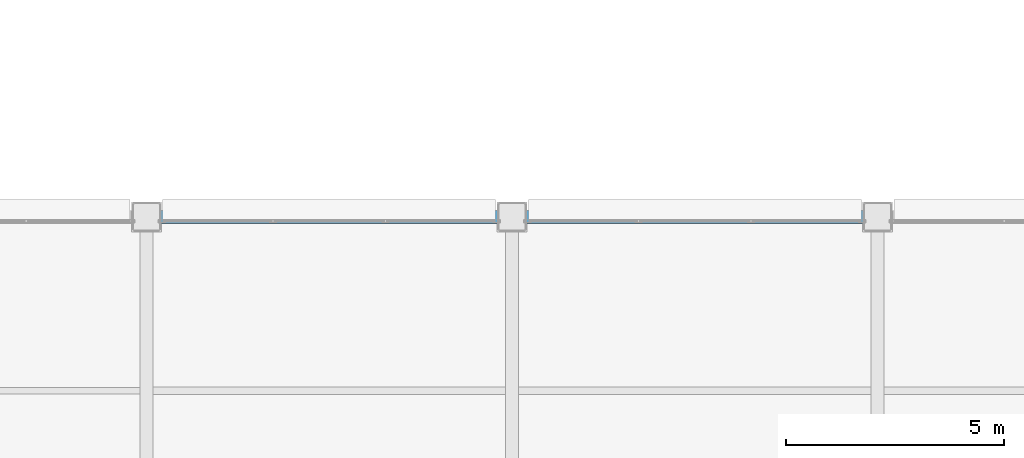
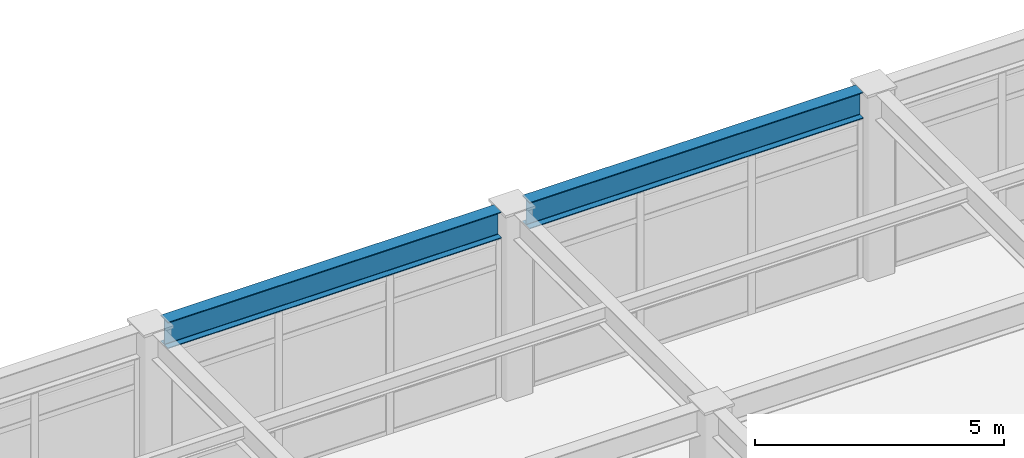
# One storey, part 41 of 93: 2 beams.
"""IFC4 building model written with IfcOpenShell, lengths in metres."""

from ifc_helpers import new_model, si_unit, direction, frame, origin, origin_2d, place, context, subcontext, project, spatial, i_section, extrude, material, material_profile, profile_set, type_object, element, save


model = new_model("IFC4")

# Units and contexts
model_context = context("Model", 3, precision=1e-05, world=origin(), true_north=direction((0.0, 1.0)))
body_context = subcontext(model_context, "Body", "Model", "MODEL_VIEW")
ifc_project = project(units=[si_unit("LENGTHUNIT", "METRE"), si_unit("AREAUNIT", "SQUARE_METRE"), si_unit("VOLUMEUNIT", "CUBIC_METRE"), si_unit("PLANEANGLEUNIT", "RADIAN"), si_unit("MASSUNIT", "GRAM", prefix="KILO")], contexts=[model_context])

# Site, building, storey
site_placement = place(None, origin())
site = spatial("IfcSite", under=ifc_project, at=site_placement, CompositionType="ELEMENT")
building_placement = place(site_placement, origin())
building = spatial("IfcBuilding", under=site, at=building_placement, Name="Kazehara Bluff Congress Hotel", CompositionType="ELEMENT")
storey_placement = place(building_placement, frame((0.0, 0.0, 15.0)))
storey = spatial("IfcBuildingStorey", under=building, at=storey_placement, Name="L03", CompositionType="ELEMENT", Elevation=15.0)

# Beams
ifc_material = material(Name="Steel SN490B", Category="steel")
ifc_material_profile = material_profile(ifc_material, i_section(OverallWidth=0.300048828125, OverallDepth=0.64990234375, WebThickness=0.011962890625, FlangeThickness=0.02001953125, FilletRadius=0.012939453125, at=origin_2d()))
ifc_profile_set = profile_set([ifc_material_profile], Name="Steel SN490B")
beam_type = type_object("IfcBeamType", Name="TP-G-03", PredefinedType="BEAM", material=ifc_profile_set)
for number, where, z_axis, x_axis, name in (
    (1, (118.824951171875, 32.0, 4.235107421875), (1.0, 0.0, 0.0), (0.0, 1.0, 0.0), "L03 girder G-03 171"),
    (2, (127.22509765625, 32.0, 4.235107421875), (1.0, 0.0, 0.0), (0.0, 1.0, 0.0), "L03 girder G-03 172"),
):
    element("IfcBeam", number, at=place(storey_placement, frame(where, z_axis=z_axis, x_axis=x_axis)), inside=storey, type_object=beam_type, Name=name, PredefinedType="BEAM", context=body_context, shape_type="SweptSolid", body=[
        extrude(i_section(OverallWidth=0.300048828125, OverallDepth=0.64990234375, WebThickness=0.011962890625, FlangeThickness=0.02001953125, FilletRadius=0.012939453125, at=origin_2d()), origin(), (0.0, 0.0, 1.0), 7.75),
    ])

save(model, "model.ifc")
